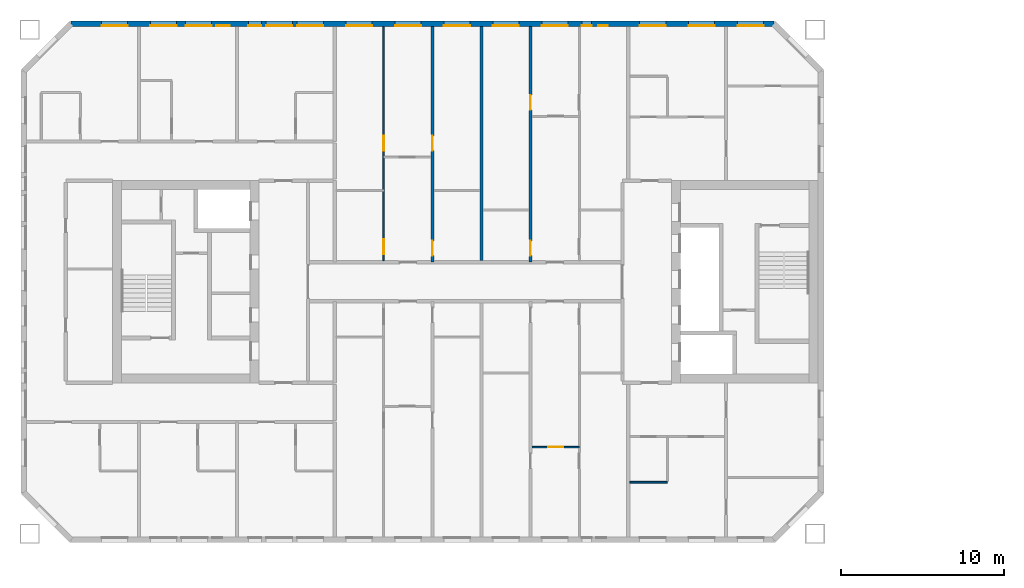
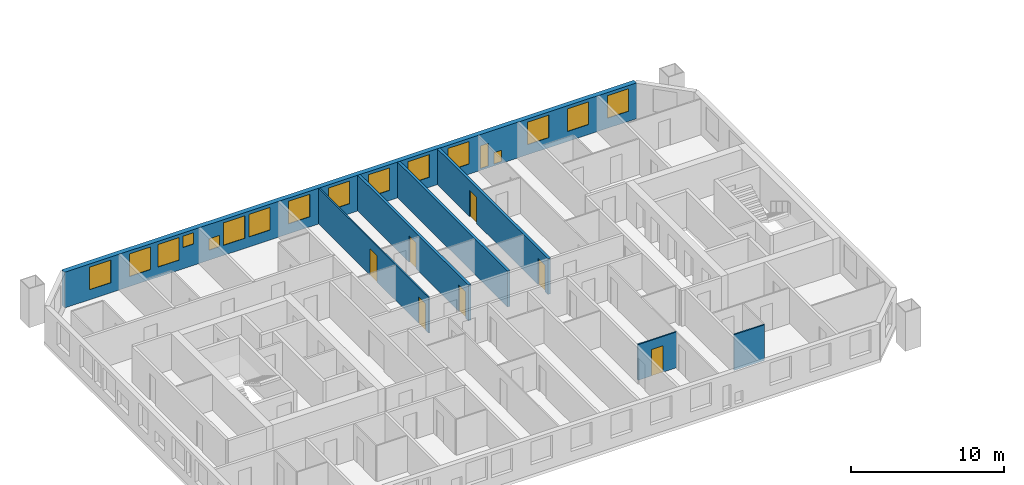
# One storey, part 6 of 16: 17 windows, 7 doors, 7 walls, 24 openings.
"""IFC4 building model written with IfcOpenShell, lengths in metres."""

from ifc_helpers import new_model, si_unit, direction, frame, frame_2d, origin, place, context, subcontext, project, spatial, rectangle, extrude, material, layer, layer_set, type_object, element, fill, save


model = new_model("IFC4")

# Units and contexts
model_context = context("Model", 3, precision=1e-05, world=origin(), true_north=direction((0.0, 1.0)))
body_context = subcontext(model_context, "Body", "Model", "MODEL_VIEW")
ifc_project = project(units=[si_unit("LENGTHUNIT", "METRE"), si_unit("AREAUNIT", "SQUARE_METRE"), si_unit("VOLUMEUNIT", "CUBIC_METRE"), si_unit("PLANEANGLEUNIT", "RADIAN"), si_unit("MASSUNIT", "GRAM", prefix="KILO")], contexts=[model_context])

# Site, building, storey
site_placement = place(None, origin())
site = spatial("IfcSite", under=ifc_project, at=site_placement, CompositionType="ELEMENT")
building_placement = place(site_placement, origin())
building = spatial("IfcBuilding", under=site, at=building_placement, Name="Tuart Gate Housing", CompositionType="ELEMENT")
storey_placement = place(building_placement, frame((0.0, 0.0, 129.89990234375)))
storey = spatial("IfcBuildingStorey", under=building, at=storey_placement, Name="L36", CompositionType="ELEMENT", Elevation=129.89990234375)

# Wall, openings, windows
ifc_material_1 = material(Name="Brick", Category="masonry")
ifc_layer_1 = layer(ifc_material_1, 0.360107421875)
ifc_layer_set_1 = layer_set([ifc_layer_1], Name="Brick pier and spandrel wall 360")
wall_type_1 = type_object("IfcWallType", Name="Brick pier and spandrel wall 360", PredefinedType="STANDARD", material=ifc_layer_set_1)
wall_1_placement = place(storey_placement, frame((72.92529296875, 85.820068359375, 0.0), z_axis=(0.0, 0.0, 1.0), x_axis=(-1.0, 0.0, 0.0)))
wall_1 = element("IfcWall", 1, at=wall_1_placement, inside=storey, type_object=wall_type_1, Name="External wall A-N L36", PredefinedType="STANDARD", context=body_context, shape_type="SweptSolid", body=[
    extrude(rectangle(XDim=43.100830078125, YDim=0.360107421875, at=frame_2d((21.55029296875, 0.0))), origin(), (0.0, 0.0, 1.0), 2.85009765625),
])
opening_1_placement = place(wall_1_placement, frame((0.62548828125, 0.0, 0.800048828125)))
opening_1 = element("IfcOpeningElement", 2, at=opening_1_placement, cuts=wall_1, Name="Opening W1", PredefinedType="OPENING", context=body_context, shape_type="SweptSolid", body=[
    extrude(rectangle(XDim=1.60009765625, YDim=1.800048828125, at=frame_2d((0.800048828125, 0.89990234375))), frame((0.0, 0.18994140625, 0.0), z_axis=(0.0, -1.0, 0.0), x_axis=(1.0, 0.0, 0.0)), (0.0, 0.0, 1.0), 0.380126953125),
])
opening_2_placement = place(wall_1_placement, frame((3.62548828125, 0.0, 0.800048828125)))
opening_2 = element("IfcOpeningElement", 3, at=opening_2_placement, cuts=wall_1, Name="Opening W1", PredefinedType="OPENING", context=body_context, shape_type="SweptSolid", body=[
    extrude(rectangle(XDim=1.60009765625, YDim=1.800048828125, at=frame_2d((0.800048828125, 0.89990234375))), frame((0.0, 0.18994140625, 0.0), z_axis=(0.0, -1.0, 0.0), x_axis=(1.0, 0.0, 0.0)), (0.0, 0.0, 1.0), 0.380126953125),
])
opening_3_placement = place(wall_1_placement, frame((6.62548828125, 0.0, 0.800048828125)))
opening_3 = element("IfcOpeningElement", 4, at=opening_3_placement, cuts=wall_1, Name="Opening W1", PredefinedType="OPENING", context=body_context, shape_type="SweptSolid", body=[
    extrude(rectangle(XDim=1.60009765625, YDim=1.800048828125, at=frame_2d((0.800048828125, 0.89990234375))), frame((0.0, 0.18994140625, 0.0), z_axis=(0.0, -1.0, 0.0), x_axis=(1.0, 0.0, 0.0)), (0.0, 0.0, 1.0), 0.380126953125),
])
opening_4_placement = place(wall_1_placement, frame((10.17529296875, 0.0, 0.14990234375)))
opening_4 = element("IfcOpeningElement", 5, at=opening_4_placement, cuts=wall_1, Name="Opening W1W", PredefinedType="OPENING", context=body_context, shape_type="SweptSolid", body=[
    extrude(rectangle(XDim=0.60009765625, YDim=0.89990234375, at=frame_2d((0.300048828125, 0.449951171875))), frame((0.0, 0.18994140625, 0.0), z_axis=(0.0, -1.0, 0.0), x_axis=(1.0, 0.0, 0.0)), (0.0, 0.0, 1.0), 0.380126953125),
])
opening_5_placement = place(wall_1_placement, frame((12.62548828125, 0.0, 0.800048828125)))
opening_5 = element("IfcOpeningElement", 6, at=opening_5_placement, cuts=wall_1, Name="Opening W1", PredefinedType="OPENING", context=body_context, shape_type="SweptSolid", body=[
    extrude(rectangle(XDim=1.60009765625, YDim=1.800048828125, at=frame_2d((0.800048828125, 0.89990234375))), frame((0.0, 0.18994140625, 0.0), z_axis=(0.0, -1.0, 0.0), x_axis=(1.0, 0.0, 0.0)), (0.0, 0.0, 1.0), 0.380126953125),
])
opening_6_placement = place(wall_1_placement, frame((15.62548828125, 0.0, 0.800048828125)))
opening_6 = element("IfcOpeningElement", 7, at=opening_6_placement, cuts=wall_1, Name="Opening W1", PredefinedType="OPENING", context=body_context, shape_type="SweptSolid", body=[
    extrude(rectangle(XDim=1.60009765625, YDim=1.800048828125, at=frame_2d((0.800048828125, 0.89990234375))), frame((0.0, 0.18994140625, 0.0), z_axis=(0.0, -1.0, 0.0), x_axis=(1.0, 0.0, 0.0)), (0.0, 0.0, 1.0), 0.380126953125),
])
opening_7_placement = place(wall_1_placement, frame((18.62548828125, 0.0, 0.800048828125)))
opening_7 = element("IfcOpeningElement", 8, at=opening_7_placement, cuts=wall_1, Name="Opening W1", PredefinedType="OPENING", context=body_context, shape_type="SweptSolid", body=[
    extrude(rectangle(XDim=1.60009765625, YDim=1.800048828125, at=frame_2d((0.800048828125, 0.89990234375))), frame((0.0, 0.18994140625, 0.0), z_axis=(0.0, -1.0, 0.0), x_axis=(1.0, 0.0, 0.0)), (0.0, 0.0, 1.0), 0.380126953125),
])
opening_8_placement = place(wall_1_placement, frame((21.62548828125, 0.0, 0.800048828125)))
opening_8 = element("IfcOpeningElement", 9, at=opening_8_placement, cuts=wall_1, Name="Opening W1", PredefinedType="OPENING", context=body_context, shape_type="SweptSolid", body=[
    extrude(rectangle(XDim=1.60009765625, YDim=1.800048828125, at=frame_2d((0.800048828125, 0.89990234375))), frame((0.0, 0.18994140625, 0.0), z_axis=(0.0, -1.0, 0.0), x_axis=(1.0, 0.0, 0.0)), (0.0, 0.0, 1.0), 0.380126953125),
])
opening_9_placement = place(wall_1_placement, frame((24.62548828125, 0.0, 0.800048828125)))
opening_9 = element("IfcOpeningElement", 10, at=opening_9_placement, cuts=wall_1, Name="Opening W1", PredefinedType="OPENING", context=body_context, shape_type="SweptSolid", body=[
    extrude(rectangle(XDim=1.60009765625, YDim=1.800048828125, at=frame_2d((0.800048828125, 0.89990234375))), frame((0.0, 0.18994140625, 0.0), z_axis=(0.0, -1.0, 0.0), x_axis=(1.0, 0.0, 0.0)), (0.0, 0.0, 1.0), 0.380126953125),
])
opening_10_placement = place(wall_1_placement, frame((27.62548828125, 0.0, 0.800048828125)))
opening_10 = element("IfcOpeningElement", 11, at=opening_10_placement, cuts=wall_1, Name="Opening W1", PredefinedType="OPENING", context=body_context, shape_type="SweptSolid", body=[
    extrude(rectangle(XDim=1.60009765625, YDim=1.800048828125, at=frame_2d((0.800048828125, 0.89990234375))), frame((0.0, 0.18994140625, 0.0), z_axis=(0.0, -1.0, 0.0), x_axis=(1.0, 0.0, 0.0)), (0.0, 0.0, 1.0), 0.380126953125),
])
opening_11_placement = place(wall_1_placement, frame((29.525390625, 0.0, 0.800048828125)))
opening_11 = element("IfcOpeningElement", 12, at=opening_11_placement, cuts=wall_1, Name="Opening W1", PredefinedType="OPENING", context=body_context, shape_type="SweptSolid", body=[
    extrude(rectangle(XDim=1.60009765625, YDim=1.800048828125, at=frame_2d((0.800048828125, 0.89990234375))), frame((0.0, 0.18994140625, 0.0), z_axis=(0.0, -1.0, 0.0), x_axis=(1.0, 0.0, 0.0)), (0.0, 0.0, 1.0), 0.380126953125),
])
opening_12_placement = place(wall_1_placement, frame((33.37548828125, 0.0, 1.699951171875)))
opening_12 = element("IfcOpeningElement", 13, at=opening_12_placement, cuts=wall_1, Name="Opening W1V", PredefinedType="OPENING", context=body_context, shape_type="SweptSolid", body=[
    extrude(rectangle(XDim=0.800048828125, YDim=0.89990234375, at=frame_2d((0.39990234375, 0.449951171875))), frame((0.0, 0.18994140625, 0.0), z_axis=(0.0, -1.0, 0.0), x_axis=(1.0, 0.0, 0.0)), (0.0, 0.0, 1.0), 0.380126953125),
])
opening_13_placement = place(wall_1_placement, frame((36.62548828125, 0.0, 0.800048828125)))
opening_13 = element("IfcOpeningElement", 14, at=opening_13_placement, cuts=wall_1, Name="Opening W1", PredefinedType="OPENING", context=body_context, shape_type="SweptSolid", body=[
    extrude(rectangle(XDim=1.60009765625, YDim=1.800048828125, at=frame_2d((0.800048828125, 0.89990234375))), frame((0.0, 0.18994140625, 0.0), z_axis=(0.0, -1.0, 0.0), x_axis=(1.0, 0.0, 0.0)), (0.0, 0.0, 1.0), 0.380126953125),
])
opening_14_placement = place(wall_1_placement, frame((39.62548828125, 0.0, 0.800048828125)))
opening_14 = element("IfcOpeningElement", 15, at=opening_14_placement, cuts=wall_1, Name="Opening W1", PredefinedType="OPENING", context=body_context, shape_type="SweptSolid", body=[
    extrude(rectangle(XDim=1.60009765625, YDim=1.800048828125, at=frame_2d((0.800048828125, 0.89990234375))), frame((0.0, 0.18994140625, 0.0), z_axis=(0.0, -1.0, 0.0), x_axis=(1.0, 0.0, 0.0)), (0.0, 0.0, 1.0), 0.380126953125),
])
opening_15_placement = place(wall_1_placement, frame((11.17529296875, 0.0, 0.14990234375)))
opening_15 = element("IfcOpeningElement", 16, at=opening_15_placement, cuts=wall_1, Name="Opening W1E", PredefinedType="OPENING", context=body_context, shape_type="SweptSolid", body=[
    extrude(rectangle(XDim=0.60009765625, YDim=1.800048828125, at=frame_2d((0.300048828125, 0.89990234375))), frame((0.0, 0.18994140625, 0.0), z_axis=(0.0, -1.0, 0.0), x_axis=(1.0, 0.0, 0.0)), (0.0, 0.0, 1.0), 0.380126953125),
])
opening_16_placement = place(wall_1_placement, frame((31.42529296875, 0.0, 0.800048828125)))
opening_16 = element("IfcOpeningElement", 17, at=opening_16_placement, cuts=wall_1, Name="Opening W1V", PredefinedType="OPENING", context=body_context, shape_type="SweptSolid", body=[
    extrude(rectangle(XDim=0.800048828125, YDim=0.89990234375, at=frame_2d((0.39990234375, 0.449951171875))), frame((0.0, 0.18994140625, 0.0), z_axis=(0.0, -1.0, 0.0), x_axis=(1.0, 0.0, 0.0)), (0.0, 0.0, 1.0), 0.380126953125),
])
opening_17_placement = place(wall_1_placement, frame((34.475341796875, 0.0, 0.800048828125)))
opening_17 = element("IfcOpeningElement", 18, at=opening_17_placement, cuts=wall_1, Name="Opening W1", PredefinedType="OPENING", context=body_context, shape_type="SweptSolid", body=[
    extrude(rectangle(XDim=1.60009765625, YDim=1.800048828125, at=frame_2d((0.800048828125, 0.89990234375))), frame((0.0, 0.18994140625, 0.0), z_axis=(0.0, -1.0, 0.0), x_axis=(1.0, 0.0, 0.0)), (0.0, 0.0, 1.0), 0.380126953125),
])
ifc_material_2 = material(Name="Aluminium frame with clear glass", Category="aluminium")
window_type_1 = type_object("IfcWindowType", Name="Punched window 1600 x 1800", PartitioningType="SINGLE_PANEL", PredefinedType="WINDOW", material=ifc_material_2)
window_1_placement = place(opening_1_placement, origin())
window_1 = element("IfcWindow", 19, at=window_1_placement, inside=storey, type_object=window_type_1, Name="Window W1", OverallHeight=1.800048828125, OverallWidth=1.60009765625, PartitioningType="SINGLE_PANEL", PredefinedType="WINDOW", context=body_context, shape_type="SweptSolid", body=[
    extrude(rectangle(XDim=1.60009765625, YDim=1.800048828125, at=frame_2d((0.800048828125, 0.89990234375))), frame((0.0, 0.150146484375, 0.0), z_axis=(0.0, -1.0, 0.0), x_axis=(1.0, 0.0, 0.0)), (0.0, 0.0, 1.0), 0.06005859375),
])
fill(opening_1, window_1)
window_2_placement = place(opening_2_placement, origin())
window_2 = element("IfcWindow", 20, at=window_2_placement, inside=storey, type_object=window_type_1, Name="Window W1", OverallHeight=1.800048828125, OverallWidth=1.60009765625, PartitioningType="SINGLE_PANEL", PredefinedType="WINDOW", context=body_context, shape_type="SweptSolid", body=[
    extrude(rectangle(XDim=1.60009765625, YDim=1.800048828125, at=frame_2d((0.800048828125, 0.89990234375))), frame((0.0, 0.150146484375, 0.0), z_axis=(0.0, -1.0, 0.0), x_axis=(1.0, 0.0, 0.0)), (0.0, 0.0, 1.0), 0.06005859375),
])
fill(opening_2, window_2)
window_3_placement = place(opening_3_placement, origin())
window_3 = element("IfcWindow", 21, at=window_3_placement, inside=storey, type_object=window_type_1, Name="Window W1", OverallHeight=1.800048828125, OverallWidth=1.60009765625, PartitioningType="SINGLE_PANEL", PredefinedType="WINDOW", context=body_context, shape_type="SweptSolid", body=[
    extrude(rectangle(XDim=1.60009765625, YDim=1.800048828125, at=frame_2d((0.800048828125, 0.89990234375))), frame((0.0, 0.150146484375, 0.0), z_axis=(0.0, -1.0, 0.0), x_axis=(1.0, 0.0, 0.0)), (0.0, 0.0, 1.0), 0.06005859375),
])
fill(opening_3, window_3)
window_4_placement = place(opening_5_placement, origin())
window_4 = element("IfcWindow", 22, at=window_4_placement, inside=storey, type_object=window_type_1, Name="Window W1", OverallHeight=1.800048828125, OverallWidth=1.60009765625, PartitioningType="SINGLE_PANEL", PredefinedType="WINDOW", context=body_context, shape_type="SweptSolid", body=[
    extrude(rectangle(XDim=1.60009765625, YDim=1.800048828125, at=frame_2d((0.800048828125, 0.89990234375))), frame((0.0, 0.150146484375, 0.0), z_axis=(0.0, -1.0, 0.0), x_axis=(1.0, 0.0, 0.0)), (0.0, 0.0, 1.0), 0.06005859375),
])
fill(opening_5, window_4)
window_5_placement = place(opening_6_placement, origin())
window_5 = element("IfcWindow", 23, at=window_5_placement, inside=storey, type_object=window_type_1, Name="Window W1", OverallHeight=1.800048828125, OverallWidth=1.60009765625, PartitioningType="SINGLE_PANEL", PredefinedType="WINDOW", context=body_context, shape_type="SweptSolid", body=[
    extrude(rectangle(XDim=1.60009765625, YDim=1.800048828125, at=frame_2d((0.800048828125, 0.89990234375))), frame((0.0, 0.150146484375, 0.0), z_axis=(0.0, -1.0, 0.0), x_axis=(1.0, 0.0, 0.0)), (0.0, 0.0, 1.0), 0.06005859375),
])
fill(opening_6, window_5)
window_6_placement = place(opening_7_placement, origin())
window_6 = element("IfcWindow", 24, at=window_6_placement, inside=storey, type_object=window_type_1, Name="Window W1", OverallHeight=1.800048828125, OverallWidth=1.60009765625, PartitioningType="SINGLE_PANEL", PredefinedType="WINDOW", context=body_context, shape_type="SweptSolid", body=[
    extrude(rectangle(XDim=1.60009765625, YDim=1.800048828125, at=frame_2d((0.800048828125, 0.89990234375))), frame((0.0, 0.150146484375, 0.0), z_axis=(0.0, -1.0, 0.0), x_axis=(1.0, 0.0, 0.0)), (0.0, 0.0, 1.0), 0.06005859375),
])
fill(opening_7, window_6)
window_7_placement = place(opening_8_placement, origin())
window_7 = element("IfcWindow", 25, at=window_7_placement, inside=storey, type_object=window_type_1, Name="Window W1", OverallHeight=1.800048828125, OverallWidth=1.60009765625, PartitioningType="SINGLE_PANEL", PredefinedType="WINDOW", context=body_context, shape_type="SweptSolid", body=[
    extrude(rectangle(XDim=1.60009765625, YDim=1.800048828125, at=frame_2d((0.800048828125, 0.89990234375))), frame((0.0, 0.150146484375, 0.0), z_axis=(0.0, -1.0, 0.0), x_axis=(1.0, 0.0, 0.0)), (0.0, 0.0, 1.0), 0.06005859375),
])
fill(opening_8, window_7)
window_8_placement = place(opening_9_placement, origin())
window_8 = element("IfcWindow", 26, at=window_8_placement, inside=storey, type_object=window_type_1, Name="Window W1", OverallHeight=1.800048828125, OverallWidth=1.60009765625, PartitioningType="SINGLE_PANEL", PredefinedType="WINDOW", context=body_context, shape_type="SweptSolid", body=[
    extrude(rectangle(XDim=1.60009765625, YDim=1.800048828125, at=frame_2d((0.800048828125, 0.89990234375))), frame((0.0, 0.150146484375, 0.0), z_axis=(0.0, -1.0, 0.0), x_axis=(1.0, 0.0, 0.0)), (0.0, 0.0, 1.0), 0.06005859375),
])
fill(opening_9, window_8)
window_9_placement = place(opening_10_placement, origin())
window_9 = element("IfcWindow", 27, at=window_9_placement, inside=storey, type_object=window_type_1, Name="Window W1", OverallHeight=1.800048828125, OverallWidth=1.60009765625, PartitioningType="SINGLE_PANEL", PredefinedType="WINDOW", context=body_context, shape_type="SweptSolid", body=[
    extrude(rectangle(XDim=1.60009765625, YDim=1.800048828125, at=frame_2d((0.800048828125, 0.89990234375))), frame((0.0, 0.150146484375, 0.0), z_axis=(0.0, -1.0, 0.0), x_axis=(1.0, 0.0, 0.0)), (0.0, 0.0, 1.0), 0.06005859375),
])
fill(opening_10, window_9)
window_10_placement = place(opening_11_placement, origin())
window_10 = element("IfcWindow", 28, at=window_10_placement, inside=storey, type_object=window_type_1, Name="Window W1", OverallHeight=1.800048828125, OverallWidth=1.60009765625, PartitioningType="SINGLE_PANEL", PredefinedType="WINDOW", context=body_context, shape_type="SweptSolid", body=[
    extrude(rectangle(XDim=1.60009765625, YDim=1.800048828125, at=frame_2d((0.800048828125, 0.89990234375))), frame((0.0, 0.150146484375, 0.0), z_axis=(0.0, -1.0, 0.0), x_axis=(1.0, 0.0, 0.0)), (0.0, 0.0, 1.0), 0.06005859375),
])
fill(opening_11, window_10)
window_11_placement = place(opening_13_placement, origin())
window_11 = element("IfcWindow", 29, at=window_11_placement, inside=storey, type_object=window_type_1, Name="Window W1", OverallHeight=1.800048828125, OverallWidth=1.60009765625, PartitioningType="SINGLE_PANEL", PredefinedType="WINDOW", context=body_context, shape_type="SweptSolid", body=[
    extrude(rectangle(XDim=1.60009765625, YDim=1.800048828125, at=frame_2d((0.800048828125, 0.89990234375))), frame((0.0, 0.150146484375, 0.0), z_axis=(0.0, -1.0, 0.0), x_axis=(1.0, 0.0, 0.0)), (0.0, 0.0, 1.0), 0.06005859375),
])
fill(opening_13, window_11)
window_12_placement = place(opening_14_placement, origin())
window_12 = element("IfcWindow", 30, at=window_12_placement, inside=storey, type_object=window_type_1, Name="Window W1", OverallHeight=1.800048828125, OverallWidth=1.60009765625, PartitioningType="SINGLE_PANEL", PredefinedType="WINDOW", context=body_context, shape_type="SweptSolid", body=[
    extrude(rectangle(XDim=1.60009765625, YDim=1.800048828125, at=frame_2d((0.800048828125, 0.89990234375))), frame((0.0, 0.150146484375, 0.0), z_axis=(0.0, -1.0, 0.0), x_axis=(1.0, 0.0, 0.0)), (0.0, 0.0, 1.0), 0.06005859375),
])
fill(opening_14, window_12)
window_13_placement = place(opening_17_placement, origin())
window_13 = element("IfcWindow", 31, at=window_13_placement, inside=storey, type_object=window_type_1, Name="Window W1", OverallHeight=1.800048828125, OverallWidth=1.60009765625, PartitioningType="SINGLE_PANEL", PredefinedType="WINDOW", context=body_context, shape_type="SweptSolid", body=[
    extrude(rectangle(XDim=1.60009765625, YDim=1.800048828125, at=frame_2d((0.800048828125, 0.89990234375))), frame((0.0, 0.150146484375, 0.0), z_axis=(0.0, -1.0, 0.0), x_axis=(1.0, 0.0, 0.0)), (0.0, 0.0, 1.0), 0.06005859375),
])
fill(opening_17, window_13)
ifc_material_3 = material(Name="Aluminium frame with clear glass", Category="aluminium")
window_type_2 = type_object("IfcWindowType", Name="Punched window 600 x 1800", PartitioningType="SINGLE_PANEL", PredefinedType="WINDOW", material=ifc_material_3)
window_14_placement = place(opening_15_placement, origin())
window_14 = element("IfcWindow", 32, at=window_14_placement, inside=storey, type_object=window_type_2, Name="Window W1E", OverallHeight=1.800048828125, OverallWidth=0.60009765625, PartitioningType="SINGLE_PANEL", PredefinedType="WINDOW", context=body_context, shape_type="SweptSolid", body=[
    extrude(rectangle(XDim=0.60009765625, YDim=1.800048828125, at=frame_2d((0.300048828125, 0.89990234375))), frame((0.0, 0.150146484375, 0.0), z_axis=(0.0, -1.0, 0.0), x_axis=(1.0, 0.0, 0.0)), (0.0, 0.0, 1.0), 0.06005859375),
])
fill(opening_15, window_14)
ifc_material_4 = material(Name="Aluminium frame with clear glass", Category="aluminium")
window_type_3 = type_object("IfcWindowType", Name="Punched window 600 x 900", PartitioningType="SINGLE_PANEL", PredefinedType="WINDOW", material=ifc_material_4)
window_15_placement = place(opening_4_placement, origin())
window_15 = element("IfcWindow", 33, at=window_15_placement, inside=storey, type_object=window_type_3, Name="Window W1W", OverallHeight=0.89990234375, OverallWidth=0.60009765625, PartitioningType="SINGLE_PANEL", PredefinedType="WINDOW", context=body_context, shape_type="SweptSolid", body=[
    extrude(rectangle(XDim=0.60009765625, YDim=0.89990234375, at=frame_2d((0.300048828125, 0.449951171875))), frame((0.0, 0.150146484375, 0.0), z_axis=(0.0, -1.0, 0.0), x_axis=(1.0, 0.0, 0.0)), (0.0, 0.0, 1.0), 0.06005859375),
])
fill(opening_4, window_15)
ifc_material_5 = material(Name="Aluminium frame with clear glass", Category="aluminium")
window_type_4 = type_object("IfcWindowType", Name="Punched window 800 x 900", PartitioningType="SINGLE_PANEL", PredefinedType="WINDOW", material=ifc_material_5)
window_16_placement = place(opening_12_placement, origin())
window_16 = element("IfcWindow", 34, at=window_16_placement, inside=storey, type_object=window_type_4, Name="Window W1V", OverallHeight=0.89990234375, OverallWidth=0.800048828125, PartitioningType="SINGLE_PANEL", PredefinedType="WINDOW", context=body_context, shape_type="SweptSolid", body=[
    extrude(rectangle(XDim=0.800048828125, YDim=0.89990234375, at=frame_2d((0.39990234375, 0.449951171875))), frame((0.0, 0.150146484375, 0.0), z_axis=(0.0, -1.0, 0.0), x_axis=(1.0, 0.0, 0.0)), (0.0, 0.0, 1.0), 0.06005859375),
])
fill(opening_12, window_16)
window_17_placement = place(opening_16_placement, origin())
window_17 = element("IfcWindow", 35, at=window_17_placement, inside=storey, type_object=window_type_4, Name="Window W1V", OverallHeight=0.89990234375, OverallWidth=0.800048828125, PartitioningType="SINGLE_PANEL", PredefinedType="WINDOW", context=body_context, shape_type="SweptSolid", body=[
    extrude(rectangle(XDim=0.800048828125, YDim=0.89990234375, at=frame_2d((0.39990234375, 0.449951171875))), frame((0.0, 0.150146484375, 0.0), z_axis=(0.0, -1.0, 0.0), x_axis=(1.0, 0.0, 0.0)), (0.0, 0.0, 1.0), 0.06005859375),
])
fill(opening_16, window_17)

# Wall
ifc_material_6 = material(Name="Gypsum board on steel studs", Category="steel")
ifc_layer_2 = layer(ifc_material_6, 0.10009765625)
ifc_layer_set_2 = layer_set([ifc_layer_2], Name="Partition 100")
wall_type_2 = type_object("IfcWallType", Name="Partition 100", PredefinedType="PARTITIONING", material=ifc_layer_set_2)
wall_2_placement = place(storey_placement, frame((64.10009765625, 57.699951171875, 0.0), z_axis=(0.0, 0.0, 1.0), x_axis=(1.0, 0.0, 0.0)))
element("IfcWall", 36, at=wall_2_placement, inside=storey, type_object=wall_type_2, Name="Partition 100", PredefinedType="PARTITIONING", context=body_context, shape_type="SweptSolid", body=[
    extrude(rectangle(XDim=2.2998046875, YDim=0.10009765625, at=frame_2d((1.14990234375, 0.0))), origin(), (0.0, 0.0, 1.0), 2.85009765625),
])

# Wall, opening, door
wall_3_placement = place(storey_placement, frame((58.10009765625, 59.860107421875, 0.0), z_axis=(0.0, 0.0, 1.0), x_axis=(1.0, 0.0, 0.0)))
wall_3 = element("IfcWall", 37, at=wall_3_placement, inside=storey, type_object=wall_type_2, Name="Partition 100", PredefinedType="PARTITIONING", context=body_context, shape_type="SweptSolid", body=[
    extrude(rectangle(XDim=2.89990234375, YDim=0.10009765625, at=frame_2d((1.449951171875, 0.0))), origin(), (0.0, 0.0, 1.0), 2.85009765625),
])
opening_18_placement = place(wall_3_placement, frame((1.0, 0.0, 0.0)))
opening_18 = element("IfcOpeningElement", 38, at=opening_18_placement, cuts=wall_3, Name="Opening D1348", PredefinedType="OPENING", context=body_context, shape_type="SweptSolid", body=[
    extrude(rectangle(XDim=0.89990234375, YDim=2.10009765625, at=frame_2d((0.449951171875, 1.050048828125))), frame((0.0, 0.06005859375, 0.0), z_axis=(0.0, -1.0, 0.0), x_axis=(1.0, 0.0, 0.0)), (0.0, 0.0, 1.0), 0.1201171875),
])
ifc_material_7 = material(Name="Timber door leaf in steel frame", Category="steel")
door_type_1 = type_object("IfcDoorType", Name="Internal door 900 RH", OperationType="SINGLE_SWING_RIGHT", PredefinedType="DOOR", material=ifc_material_7)
door_1_placement = place(opening_18_placement, origin())
door_1 = element("IfcDoor", 39, at=door_1_placement, inside=storey, type_object=door_type_1, Name="Internal door", OperationType="SINGLE_SWING_RIGHT", OverallHeight=2.10009765625, OverallWidth=0.89990234375, PredefinedType="DOOR", context=body_context, shape_type="SweptSolid", body=[
    extrude(rectangle(XDim=0.89990234375, YDim=2.10009765625, at=frame_2d((0.449951171875, 1.050048828125))), frame((0.0, 0.02490234375, 0.0), z_axis=(0.0, -1.0, 0.0), x_axis=(1.0, 0.0, 0.0)), (0.0, 0.0, 1.0), 0.050048828125),
])
fill(opening_18, door_1)

# Wall, openings, doors
wall_4_placement = place(storey_placement, frame((49.0, 71.300048828125, 0.0), z_axis=(0.0, 0.0, 1.0), x_axis=(0.0, 1.0, 0.0)))
wall_4 = element("IfcWall", 40, at=wall_4_placement, inside=storey, type_object=wall_type_2, Name="Partition 100", PredefinedType="PARTITIONING", context=body_context, shape_type="SweptSolid", body=[
    extrude(rectangle(XDim=14.33984375, YDim=0.10009765625, at=frame_2d((7.169921875, 0.0))), origin(), (0.0, 0.0, 1.0), 2.85009765625),
])
opening_19_placement = place(wall_4_placement, frame((6.739990234375, 0.0, 0.0)))
opening_19 = element("IfcOpeningElement", 41, at=opening_19_placement, cuts=wall_4, Name="Opening D1302", PredefinedType="OPENING", context=body_context, shape_type="SweptSolid", body=[
    extrude(rectangle(XDim=0.89990234375, YDim=2.10009765625, at=frame_2d((0.449951171875, 1.050048828125))), frame((0.0, 0.06005859375, 0.0), z_axis=(0.0, -1.0, 0.0), x_axis=(1.0, 0.0, 0.0)), (0.0, 0.0, 1.0), 0.1201171875),
])
opening_20_placement = place(wall_4_placement, frame((0.39990234375, 0.0, 0.0)))
opening_20 = element("IfcOpeningElement", 42, at=opening_20_placement, cuts=wall_4, Name="Opening D1301", PredefinedType="OPENING", context=body_context, shape_type="SweptSolid", body=[
    extrude(rectangle(XDim=0.89990234375, YDim=2.10009765625, at=frame_2d((0.449951171875, 1.050048828125))), frame((0.0, 0.06005859375, 0.0), z_axis=(0.0, -1.0, 0.0), x_axis=(1.0, 0.0, 0.0)), (0.0, 0.0, 1.0), 0.1201171875),
])
ifc_material_8 = material(Name="Timber door leaf in steel frame", Category="steel")
door_type_2 = type_object("IfcDoorType", Name="Bathroom door 900", OperationType="SINGLE_SWING_LEFT", PredefinedType="DOOR", material=ifc_material_8)
door_2_placement = place(opening_20_placement, origin())
door_2 = element("IfcDoor", 43, at=door_2_placement, inside=storey, type_object=door_type_2, Name="Bathroom door", OperationType="SINGLE_SWING_LEFT", OverallHeight=2.10009765625, OverallWidth=0.89990234375, PredefinedType="DOOR", context=body_context, shape_type="SweptSolid", body=[
    extrude(rectangle(XDim=0.89990234375, YDim=2.10009765625, at=frame_2d((0.449951171875, 1.050048828125))), frame((0.0, 0.02490234375, 0.0), z_axis=(0.0, -1.0, 0.0), x_axis=(1.0, 0.0, 0.0)), (0.0, 0.0, 1.0), 0.050048828125),
])
fill(opening_20, door_2)
ifc_material_9 = material(Name="Timber door leaf in steel frame", Category="steel")
door_type_3 = type_object("IfcDoorType", Name="Internal door 900", OperationType="SINGLE_SWING_LEFT", PredefinedType="DOOR", material=ifc_material_9)
door_3_placement = place(opening_19_placement, origin())
door_3 = element("IfcDoor", 44, at=door_3_placement, inside=storey, type_object=door_type_3, Name="Internal door", OperationType="SINGLE_SWING_LEFT", OverallHeight=2.10009765625, OverallWidth=0.89990234375, PredefinedType="DOOR", context=body_context, shape_type="SweptSolid", body=[
    extrude(rectangle(XDim=0.89990234375, YDim=2.10009765625, at=frame_2d((0.449951171875, 1.050048828125))), frame((0.0, 0.02490234375, 0.0), z_axis=(0.0, -1.0, 0.0), x_axis=(1.0, 0.0, 0.0)), (0.0, 0.0, 1.0), 0.050048828125),
])
fill(opening_19, door_3)

ifc_material_10 = material(Name="Concrete C40", Category="concrete")
ifc_layer_3 = layer(ifc_material_10, 0.199951171875)
ifc_layer_set_3 = layer_set([ifc_layer_3], Name="Party wall concrete C40 200")
wall_type_3 = type_object("IfcWallType", Name="Party wall concrete C40 200", PredefinedType="SOLIDWALL", material=ifc_layer_set_3)
wall_5_placement = place(storey_placement, frame((52.0, 71.199951171875, 0.0), z_axis=(0.0, 0.0, 1.0), x_axis=(0.0, 1.0, 0.0)))
wall_5 = element("IfcWall", 45, at=wall_5_placement, inside=storey, type_object=wall_type_3, Name="Party wall concrete C40 200", PredefinedType="SOLIDWALL", context=body_context, shape_type="SweptSolid", body=[
    extrude(rectangle(XDim=14.43994140625, YDim=0.199951171875, at=frame_2d((7.219970703125, 0.0))), origin(), (0.0, 0.0, 1.0), 2.85009765625),
])
opening_21_placement = place(wall_5_placement, frame((6.840087890625, 0.0, 0.0)))
opening_21 = element("IfcOpeningElement", 46, at=opening_21_placement, cuts=wall_5, Name="Opening D1306", PredefinedType="OPENING", context=body_context, shape_type="SweptSolid", body=[
    extrude(rectangle(XDim=0.89990234375, YDim=2.10009765625, at=frame_2d((0.449951171875, 1.050048828125))), frame((0.0, 0.10986328125, 0.0), z_axis=(0.0, -1.0, 0.0), x_axis=(1.0, 0.0, 0.0)), (0.0, 0.0, 1.0), 0.219970703125),
])
opening_22_placement = place(wall_5_placement, frame((0.39990234375, 0.0, 0.0)))
opening_22 = element("IfcOpeningElement", 47, at=opening_22_placement, cuts=wall_5, Name="Opening D1305", PredefinedType="OPENING", context=body_context, shape_type="SweptSolid", body=[
    extrude(rectangle(XDim=0.89990234375, YDim=2.10009765625, at=frame_2d((0.449951171875, 1.050048828125))), frame((0.0, 0.10986328125, 0.0), z_axis=(0.0, -1.0, 0.0), x_axis=(1.0, 0.0, 0.0)), (0.0, 0.0, 1.0), 0.219970703125),
])
ifc_material_11 = material(Name="Timber door leaf in steel frame", Category="steel")
door_type_4 = type_object("IfcDoorType", Name="Bathroom door 900 RH", OperationType="SINGLE_SWING_RIGHT", PredefinedType="DOOR", material=ifc_material_11)
door_4_placement = place(opening_22_placement, frame((0.89990234375, 0.0, 0.0), z_axis=(0.0, 0.0, 1.0), x_axis=(-1.0, 0.0, 0.0)))
door_4 = element("IfcDoor", 48, at=door_4_placement, inside=storey, type_object=door_type_4, Name="Bathroom door", OperationType="SINGLE_SWING_RIGHT", OverallHeight=2.10009765625, OverallWidth=0.89990234375, PredefinedType="DOOR", context=body_context, shape_type="SweptSolid", body=[
    extrude(rectangle(XDim=0.89990234375, YDim=2.10009765625, at=frame_2d((0.449951171875, 1.050048828125))), frame((0.0, 0.025146484375, 0.0), z_axis=(0.0, -1.0, 0.0), x_axis=(1.0, 0.0, 0.0)), (0.0, 0.0, 1.0), 0.050048828125),
])
fill(opening_22, door_4)
door_5_placement = place(opening_21_placement, frame((0.89990234375, 0.0, 0.0), z_axis=(0.0, 0.0, 1.0), x_axis=(-1.0, 0.0, 0.0)))
door_5 = element("IfcDoor", 49, at=door_5_placement, inside=storey, type_object=door_type_1, Name="Internal door", OperationType="SINGLE_SWING_RIGHT", OverallHeight=2.10009765625, OverallWidth=0.89990234375, PredefinedType="DOOR", context=body_context, shape_type="SweptSolid", body=[
    extrude(rectangle(XDim=0.89990234375, YDim=2.10009765625, at=frame_2d((0.449951171875, 1.050048828125))), frame((0.0, 0.025146484375, 0.0), z_axis=(0.0, -1.0, 0.0), x_axis=(1.0, 0.0, 0.0)), (0.0, 0.0, 1.0), 0.050048828125),
])
fill(opening_21, door_5)

wall_6_placement = place(storey_placement, frame((58.0, 71.199951171875, 0.0), z_axis=(0.0, 0.0, 1.0), x_axis=(0.0, 1.0, 0.0)))
wall_6 = element("IfcWall", 50, at=wall_6_placement, inside=storey, type_object=wall_type_3, Name="Party wall concrete C40 200", PredefinedType="SOLIDWALL", context=body_context, shape_type="SweptSolid", body=[
    extrude(rectangle(XDim=14.43994140625, YDim=0.199951171875, at=frame_2d((7.219970703125, 0.0))), origin(), (0.0, 0.0, 1.0), 2.85009765625),
])
opening_23_placement = place(wall_6_placement, frame((9.340087890625, 0.0, 0.0)))
opening_23 = element("IfcOpeningElement", 51, at=opening_23_placement, cuts=wall_6, Name="Opening D1308", PredefinedType="OPENING", context=body_context, shape_type="SweptSolid", body=[
    extrude(rectangle(XDim=0.89990234375, YDim=2.10009765625, at=frame_2d((0.449951171875, 1.050048828125))), frame((0.0, 0.10986328125, 0.0), z_axis=(0.0, -1.0, 0.0), x_axis=(1.0, 0.0, 0.0)), (0.0, 0.0, 1.0), 0.219970703125),
])
opening_24_placement = place(wall_6_placement, frame((0.39990234375, 0.0, 0.0)))
opening_24 = element("IfcOpeningElement", 52, at=opening_24_placement, cuts=wall_6, Name="Opening D1307", PredefinedType="OPENING", context=body_context, shape_type="SweptSolid", body=[
    extrude(rectangle(XDim=0.89990234375, YDim=2.10009765625, at=frame_2d((0.449951171875, 1.050048828125))), frame((0.0, 0.10986328125, 0.0), z_axis=(0.0, -1.0, 0.0), x_axis=(1.0, 0.0, 0.0)), (0.0, 0.0, 1.0), 0.219970703125),
])
door_6_placement = place(opening_24_placement, origin())
door_6 = element("IfcDoor", 53, at=door_6_placement, inside=storey, type_object=door_type_2, Name="Bathroom door", OperationType="SINGLE_SWING_LEFT", OverallHeight=2.10009765625, OverallWidth=0.89990234375, PredefinedType="DOOR", context=body_context, shape_type="SweptSolid", body=[
    extrude(rectangle(XDim=0.89990234375, YDim=2.10009765625, at=frame_2d((0.449951171875, 1.050048828125))), frame((0.0, 0.02490234375, 0.0), z_axis=(0.0, -1.0, 0.0), x_axis=(1.0, 0.0, 0.0)), (0.0, 0.0, 1.0), 0.050048828125),
])
fill(opening_24, door_6)
door_7_placement = place(opening_23_placement, origin())
door_7 = element("IfcDoor", 54, at=door_7_placement, inside=storey, type_object=door_type_1, Name="Internal door", OperationType="SINGLE_SWING_RIGHT", OverallHeight=2.10009765625, OverallWidth=0.89990234375, PredefinedType="DOOR", context=body_context, shape_type="SweptSolid", body=[
    extrude(rectangle(XDim=0.89990234375, YDim=2.10009765625, at=frame_2d((0.449951171875, 1.050048828125))), frame((0.0, 0.02490234375, 0.0), z_axis=(0.0, -1.0, 0.0), x_axis=(1.0, 0.0, 0.0)), (0.0, 0.0, 1.0), 0.050048828125),
])
fill(opening_23, door_7)

# Wall
ifc_material_12 = material(Name="Concrete masonry 15 MPa", Category="masonry")
ifc_layer_4 = layer(ifc_material_12, 0.199951171875)
ifc_layer_set_4 = layer_set([ifc_layer_4], Name="Party wall masonry 200")
wall_type_4 = type_object("IfcWallType", Name="Party wall masonry 200", PredefinedType="PARTITIONING", material=ifc_layer_set_4)
wall_7_placement = place(storey_placement, frame((55.0, 71.300048828125, 0.0), z_axis=(0.0, 0.0, 1.0), x_axis=(0.0, 1.0, 0.0)))
element("IfcWall", 55, at=wall_7_placement, inside=storey, type_object=wall_type_4, Name="Party wall masonry 200", PredefinedType="PARTITIONING", context=body_context, shape_type="SweptSolid", body=[
    extrude(rectangle(XDim=14.33984375, YDim=0.199951171875, at=frame_2d((7.169921875, 0.0))), origin(), (0.0, 0.0, 1.0), 2.85009765625),
])

save(model, "model.ifc")
